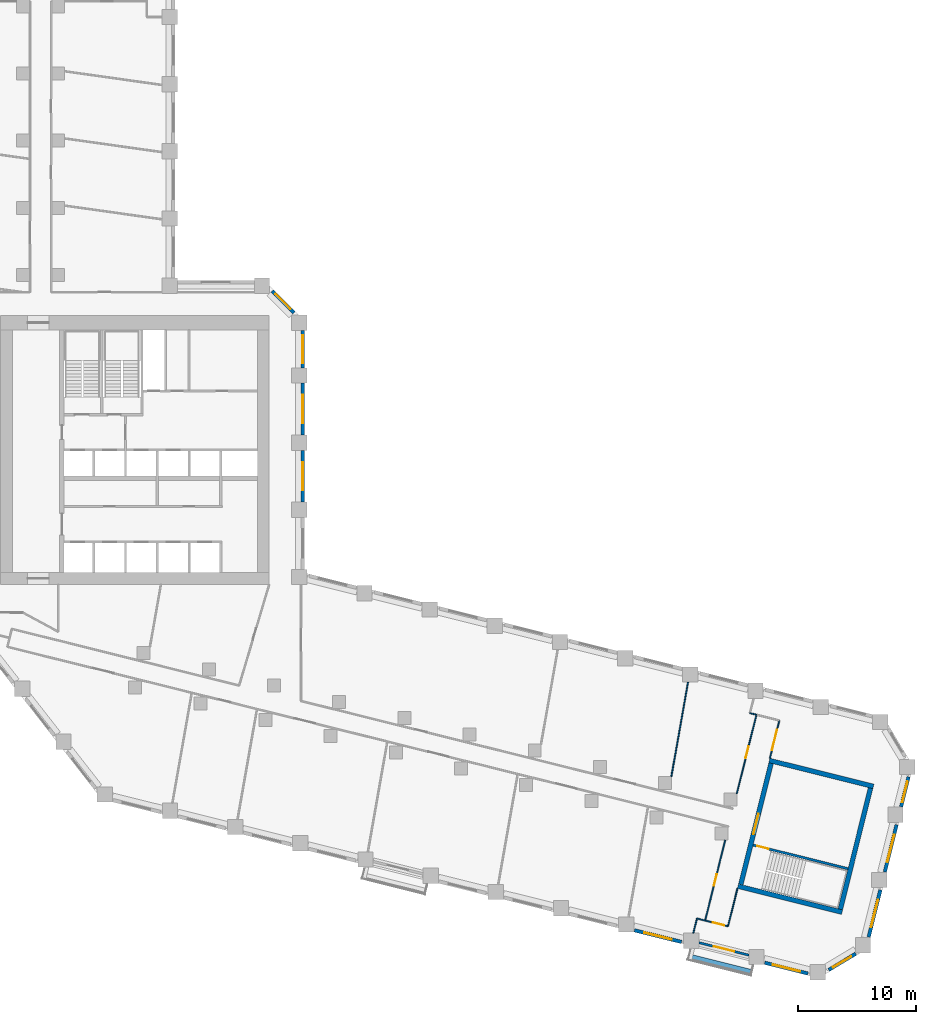
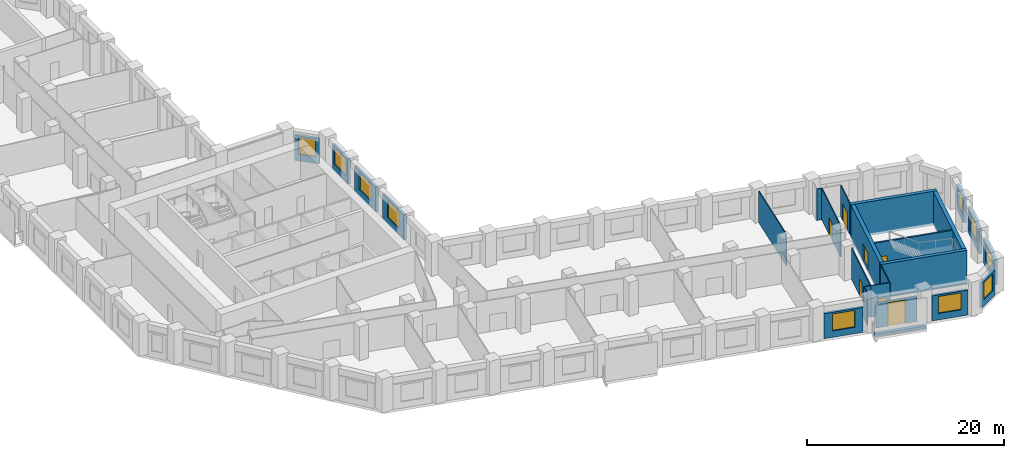
# One storey, part 6 of 10: 26 walls, 10 windows, 7 doors, 17 openings.
"""IFC4 building model written with IfcOpenShell, lengths in metres."""

from ifc_helpers import new_model, si_unit, direction, frame, frame_2d, origin, place, context, subcontext, project, spatial, rectangle, extrude, material, layer, layer_set, type_object, element, fill, save


model = new_model("IFC4")

# Units and contexts
model_context = context("Model", 3, precision=1e-05, world=origin(), true_north=direction((0.0, 1.0)))
body_context = subcontext(model_context, "Body", "Model", "MODEL_VIEW")
ifc_project = project(units=[si_unit("LENGTHUNIT", "METRE"), si_unit("AREAUNIT", "SQUARE_METRE"), si_unit("VOLUMEUNIT", "CUBIC_METRE"), si_unit("PLANEANGLEUNIT", "RADIAN"), si_unit("MASSUNIT", "GRAM", prefix="KILO")], contexts=[model_context])

# Site, building, storey
site_placement = place(None, origin())
site = spatial("IfcSite", under=ifc_project, at=site_placement, CompositionType="ELEMENT")
building_placement = place(site_placement, origin())
building = spatial("IfcBuilding", under=site, at=building_placement, Name="Meshkara Civic Tower", CompositionType="ELEMENT")
storey_placement = place(building_placement, frame((0.0, 0.0, 109.800048828125)))
storey = spatial("IfcBuildingStorey", under=building, at=storey_placement, Name="L24", CompositionType="ELEMENT", Elevation=109.800048828125)

# Wall, opening, door
ifc_material_1 = material(Name="Corridor wall 100")
ifc_layer_1 = layer(ifc_material_1, 0.10009765625)
ifc_layer_set_1 = layer_set([ifc_layer_1], Name="Corridor wall 100")
wall_type_1 = type_object("IfcWallType", Name="Corridor wall 100", PredefinedType="PARTITIONING", material=ifc_layer_set_1)
wall_1_placement = place(storey_placement, frame((67.79296875, -14.428955078125, 0.0), z_axis=(0.0, 0.0, 1.0), x_axis=(0.9702715884, -0.242018686767, 0.0)))
wall_1 = element("IfcWall", 1, at=wall_1_placement, inside=storey, type_object=wall_type_1, Name="L24-W024", PredefinedType="PARTITIONING", context=body_context, shape_type="SweptSolid", body=[
    extrude(rectangle(XDim=2.00048828125, YDim=0.10009765625, at=frame_2d((1.000244140625, 0.0))), origin(), (0.0, 0.0, 1.0), 3.89990234375),
])
opening_1_placement = place(wall_1_placement, frame((0.679931640625, 0.0, 0.0)))
opening_1 = element("IfcOpeningElement", 2, at=opening_1_placement, cuts=wall_1, Name="Opening L24-D001", PredefinedType="OPENING", context=body_context, shape_type="SweptSolid", body=[
    extrude(rectangle(XDim=1.0, YDim=2.10009765625, at=frame_2d((0.5, 1.050048828125))), frame((0.0, 0.06005859375, 0.0), z_axis=(0.0, -1.0, 0.0), x_axis=(1.0, 0.0, 0.0)), (0.0, 0.0, 1.0), 0.1201171875),
])
ifc_material_2 = material(Name="Door 1000 x 2100")
door_type_1 = type_object("IfcDoorType", Name="Door 1000 x 2100", OperationType="SINGLE_SWING_LEFT", PredefinedType="DOOR", material=ifc_material_2)
door_1_placement = place(opening_1_placement, origin())
door_1 = element("IfcDoor", 3, at=door_1_placement, inside=storey, type_object=door_type_1, Name="L24-D001", OperationType="SINGLE_SWING_LEFT", OverallHeight=2.10009765625, OverallWidth=1.0, PredefinedType="DOOR", context=body_context, shape_type="SweptSolid", body=[
    extrude(rectangle(XDim=1.0, YDim=2.10009765625, at=frame_2d((0.5, 1.050048828125))), frame((0.0, 0.02490234375, 0.0), z_axis=(0.0, -1.0, 0.0), x_axis=(1.0, 0.0, 0.0)), (0.0, 0.0, 1.0), 0.050048828125),
])
fill(opening_1, door_1)

wall_2_placement = place(storey_placement, frame((69.49609375, -7.60009765625, 0.0), z_axis=(0.0, 0.0, 1.0), x_axis=(-0.241988728544, -0.970279060507, 0.0)))
wall_2 = element("IfcWall", 4, at=wall_2_placement, inside=storey, type_object=wall_type_1, Name="L24-W025", PredefinedType="PARTITIONING", context=body_context, shape_type="SweptSolid", body=[
    extrude(rectangle(XDim=7.0380859375, YDim=0.10009765625, at=frame_2d((3.51904296875, 0.0))), origin(), (0.0, 0.0, 1.0), 3.89990234375),
])
opening_2_placement = place(wall_2_placement, frame((2.97998046875, 0.0, 0.0)))
opening_2 = element("IfcOpeningElement", 5, at=opening_2_placement, cuts=wall_2, Name="Opening L24-D002", PredefinedType="OPENING", context=body_context, shape_type="SweptSolid", body=[
    extrude(rectangle(XDim=1.0, YDim=2.10009765625, at=frame_2d((0.5, 1.050048828125))), frame((0.0, 0.06005859375, 0.0), z_axis=(0.0, -1.0, 0.0), x_axis=(1.0, 0.0, 0.0)), (0.0, 0.0, 1.0), 0.1201171875),
])
door_2_placement = place(opening_2_placement, origin())
door_2 = element("IfcDoor", 6, at=door_2_placement, inside=storey, type_object=door_type_1, Name="L24-D002", OperationType="SINGLE_SWING_RIGHT", OverallHeight=2.10009765625, OverallWidth=1.0, PredefinedType="DOOR", context=body_context, shape_type="SweptSolid", body=[
    extrude(rectangle(XDim=1.0, YDim=2.10009765625, at=frame_2d((0.5, 1.050048828125))), frame((0.0, 0.02490234375, 0.0), z_axis=(0.0, -1.0, 0.0), x_axis=(1.0, 0.0, 0.0)), (0.0, 0.0, 1.0), 0.050048828125),
])
fill(opening_2, door_2)

# Wall
wall_3_placement = place(storey_placement, frame((69.73388671875, -14.9130859375, 0.0), z_axis=(0.0, 0.0, 1.0), x_axis=(0.241839284064, 0.97031631991, 0.0)))
element("IfcWall", 7, at=wall_3_placement, inside=storey, type_object=wall_type_1, Name="L24-W026", PredefinedType="PARTITIONING", context=body_context, shape_type="SweptSolid", body=[
    extrude(rectangle(XDim=3.300048828125, YDim=0.10009765625, at=frame_2d((1.64990234375, 0.0))), origin(), (0.0, 0.0, 1.0), 3.89990234375),
])

# Wall, opening, door
wall_4_placement = place(storey_placement, frame((72.14794921875, 3.035888671875, 0.0), z_axis=(0.0, 0.0, 1.0), x_axis=(-0.241945347889, -0.970289878662, 0.0)))
wall_4 = element("IfcWall", 8, at=wall_4_placement, inside=storey, type_object=wall_type_1, Name="L24-W027", PredefinedType="PARTITIONING", context=body_context, shape_type="SweptSolid", body=[
    extrude(rectangle(XDim=6.91015625, YDim=0.10009765625, at=frame_2d((3.455078125, 0.0))), origin(), (0.0, 0.0, 1.0), 3.89990234375),
])
opening_3_placement = place(wall_4_placement, frame((2.780029296875, 0.0, 0.0)))
opening_3 = element("IfcOpeningElement", 9, at=opening_3_placement, cuts=wall_4, Name="Opening L24-D006", PredefinedType="OPENING", context=body_context, shape_type="SweptSolid", body=[
    extrude(rectangle(XDim=1.0, YDim=2.10009765625, at=frame_2d((0.5, 1.050048828125))), frame((0.0, 0.06005859375, 0.0), z_axis=(0.0, -1.0, 0.0), x_axis=(1.0, 0.0, 0.0)), (0.0, 0.0, 1.0), 0.1201171875),
])
door_3_placement = place(opening_3_placement, origin())
door_3 = element("IfcDoor", 10, at=door_3_placement, inside=storey, type_object=door_type_1, Name="L24-D006", OperationType="SINGLE_SWING_RIGHT", OverallHeight=2.10009765625, OverallWidth=1.0, PredefinedType="DOOR", context=body_context, shape_type="SweptSolid", body=[
    extrude(rectangle(XDim=1.0, YDim=2.10009765625, at=frame_2d((0.5, 1.050048828125))), frame((0.0, 0.02490234375, 0.0), z_axis=(0.0, -1.0, 0.0), x_axis=(1.0, 0.0, 0.0)), (0.0, 0.0, 1.0), 0.050048828125),
])
fill(opening_3, door_3)

wall_5_placement = place(storey_placement, frame((73.2900390625, -0.64990234375, 0.0), z_axis=(0.0, 0.0, 1.0), x_axis=(0.241786986316, 0.970329352977, 0.0)))
wall_5 = element("IfcWall", 11, at=wall_5_placement, inside=storey, type_object=wall_type_1, Name="L24-W028", PredefinedType="PARTITIONING", context=body_context, shape_type="SweptSolid", body=[
    extrude(rectangle(XDim=3.2998046875, YDim=0.10009765625, at=frame_2d((1.64990234375, 0.0))), origin(), (0.0, 0.0, 1.0), 3.89990234375),
])
opening_4_placement = place(wall_5_placement, frame((0.679931640625, 0.0, 0.0)))
opening_4 = element("IfcOpeningElement", 12, at=opening_4_placement, cuts=wall_5, Name="Opening L24-D010", PredefinedType="OPENING", context=body_context, shape_type="SweptSolid", body=[
    extrude(rectangle(XDim=1.800048828125, YDim=2.10009765625, at=frame_2d((0.89990234375, 1.050048828125))), frame((0.0, 0.06005859375, 0.0), z_axis=(0.0, -1.0, 0.0), x_axis=(1.0, 0.0, 0.0)), (0.0, 0.0, 1.0), 0.1201171875),
])
ifc_material_3 = material(Name="Door pair 1800 x 2100")
door_type_2 = type_object("IfcDoorType", Name="Door pair 1800 x 2100", OperationType="SINGLE_SWING_LEFT", PredefinedType="DOOR", material=ifc_material_3)
door_4_placement = place(opening_4_placement, origin())
door_4 = element("IfcDoor", 13, at=door_4_placement, inside=storey, type_object=door_type_2, Name="L24-D010", OperationType="DOUBLE_DOOR_SINGLE_SWING", OverallHeight=2.10009765625, OverallWidth=1.800048828125, PredefinedType="DOOR", context=body_context, shape_type="SweptSolid", body=[
    extrude(rectangle(XDim=1.800048828125, YDim=2.10009765625, at=frame_2d((0.89990234375, 1.050048828125))), frame((0.0, 0.02490234375, 0.0), z_axis=(0.0, -1.0, 0.0), x_axis=(1.0, 0.0, 0.0)), (0.0, 0.0, 1.0), 0.050048828125),
])
fill(opening_4, door_4)

# Wall, opening, window
ifc_material_4 = material(Name="Insulated infill panel with bronze anodised aluminium cladding", Category="aluminium")
ifc_layer_2 = layer(ifc_material_4, 0.300048828125)
ifc_layer_set_2 = layer_set([ifc_layer_2], Name="EXTERNAL INFILL WALL 300")
wall_type_2 = type_object("IfcWallType", Name="EXTERNAL INFILL WALL 300", PredefinedType="SOLIDWALL", material=ifc_layer_set_2)
wall_6_placement = place(storey_placement, frame((33.64990234375, 21.069091796875, 0.0), z_axis=(0.0, 0.0, 1.0), x_axis=(0.0, 1.0, 0.0)))
wall_6 = element("IfcWall", 14, at=wall_6_placement, inside=storey, type_object=wall_type_2, Name="External wall", PredefinedType="SOLIDWALL", context=body_context, shape_type="SweptSolid", body=[
    extrude(rectangle(XDim=4.39990234375, YDim=0.300048828125, at=frame_2d((2.199951171875, 0.0))), origin(), (0.0, 0.0, 1.0), 3.099853515625),
])
opening_5_placement = place(wall_6_placement, frame((1.0, 0.0, 0.800048828125)))
opening_5 = element("IfcOpeningElement", 15, at=opening_5_placement, cuts=wall_6, Name="Opening W7", PredefinedType="OPENING", context=body_context, shape_type="SweptSolid", body=[
    extrude(rectangle(XDim=2.39990234375, YDim=2.10009765625, at=frame_2d((1.199951171875, 1.050048828125))), frame((0.0, 0.159912109375, 0.0), z_axis=(0.0, -1.0, 0.0), x_axis=(1.0, 0.0, 0.0)), (0.0, 0.0, 1.0), 0.320068359375),
])
ifc_material_5 = material(Name="Tinted double glazing", Category="glass")
window_type_1 = type_object("IfcWindowType", Name="WINDOW 2400x2100", PartitioningType="DOUBLE_PANEL_VERTICAL", PredefinedType="WINDOW", material=ifc_material_5)
window_1_placement = place(opening_5_placement, origin())
window_1 = element("IfcWindow", 16, at=window_1_placement, inside=storey, type_object=window_type_1, Name="Window", OverallHeight=2.10009765625, OverallWidth=2.39990234375, PartitioningType="DOUBLE_PANEL_VERTICAL", PredefinedType="WINDOW", context=body_context, shape_type="SweptSolid", body=[
    extrude(rectangle(XDim=2.39990234375, YDim=2.10009765625, at=frame_2d((1.199951171875, 1.050048828125))), frame((0.0, 0.030029296875, 0.0), z_axis=(0.0, -1.0, 0.0), x_axis=(1.0, 0.0, 0.0)), (0.0, 0.0, 1.0), 0.06005859375),
])
fill(opening_5, window_1)

wall_7_placement = place(storey_placement, frame((33.64990234375, 26.76904296875, 0.0), z_axis=(0.0, 0.0, 1.0), x_axis=(0.0, 1.0, 0.0)))
wall_7 = element("IfcWall", 17, at=wall_7_placement, inside=storey, type_object=wall_type_2, Name="External wall", PredefinedType="SOLIDWALL", context=body_context, shape_type="SweptSolid", body=[
    extrude(rectangle(XDim=4.39990234375, YDim=0.300048828125, at=frame_2d((2.199951171875, 0.0))), origin(), (0.0, 0.0, 1.0), 3.099853515625),
])
opening_6_placement = place(wall_7_placement, frame((1.0, 0.0, 0.800048828125)))
opening_6 = element("IfcOpeningElement", 18, at=opening_6_placement, cuts=wall_7, Name="Opening W7", PredefinedType="OPENING", context=body_context, shape_type="SweptSolid", body=[
    extrude(rectangle(XDim=2.39990234375, YDim=2.10009765625, at=frame_2d((1.199951171875, 1.050048828125))), frame((0.0, 0.159912109375, 0.0), z_axis=(0.0, -1.0, 0.0), x_axis=(1.0, 0.0, 0.0)), (0.0, 0.0, 1.0), 0.320068359375),
])
window_2_placement = place(opening_6_placement, origin())
window_2 = element("IfcWindow", 19, at=window_2_placement, inside=storey, type_object=window_type_1, Name="Window", OverallHeight=2.10009765625, OverallWidth=2.39990234375, PartitioningType="DOUBLE_PANEL_VERTICAL", PredefinedType="WINDOW", context=body_context, shape_type="SweptSolid", body=[
    extrude(rectangle(XDim=2.39990234375, YDim=2.10009765625, at=frame_2d((1.199951171875, 1.050048828125))), frame((0.0, 0.030029296875, 0.0), z_axis=(0.0, -1.0, 0.0), x_axis=(1.0, 0.0, 0.0)), (0.0, 0.0, 1.0), 0.06005859375),
])
fill(opening_6, window_2)

wall_8_placement = place(storey_placement, frame((33.64990234375, 32.468994140625, 0.0), z_axis=(0.0, 0.0, 1.0), x_axis=(0.0, 1.0, 0.0)))
wall_8 = element("IfcWall", 20, at=wall_8_placement, inside=storey, type_object=wall_type_2, Name="External wall", PredefinedType="SOLIDWALL", context=body_context, shape_type="SweptSolid", body=[
    extrude(rectangle(XDim=3.175048828125, YDim=0.300048828125, at=frame_2d((1.58740234375, 0.0))), origin(), (0.0, 0.0, 1.0), 3.099853515625),
])
opening_7_placement = place(wall_8_placement, frame((0.387939453125, 0.0, 0.800048828125)))
opening_7 = element("IfcOpeningElement", 21, at=opening_7_placement, cuts=wall_8, Name="Opening W7", PredefinedType="OPENING", context=body_context, shape_type="SweptSolid", body=[
    extrude(rectangle(XDim=2.39990234375, YDim=2.10009765625, at=frame_2d((1.199951171875, 1.050048828125))), frame((0.0, 0.159912109375, 0.0), z_axis=(0.0, -1.0, 0.0), x_axis=(1.0, 0.0, 0.0)), (0.0, 0.0, 1.0), 0.320068359375),
])
window_3_placement = place(opening_7_placement, origin())
window_3 = element("IfcWindow", 22, at=window_3_placement, inside=storey, type_object=window_type_1, Name="Window", OverallHeight=2.10009765625, OverallWidth=2.39990234375, PartitioningType="DOUBLE_PANEL_VERTICAL", PredefinedType="WINDOW", context=body_context, shape_type="SweptSolid", body=[
    extrude(rectangle(XDim=2.39990234375, YDim=2.10009765625, at=frame_2d((1.199951171875, 1.050048828125))), frame((0.0, 0.030029296875, 0.0), z_axis=(0.0, -1.0, 0.0), x_axis=(1.0, 0.0, 0.0)), (0.0, 0.0, 1.0), 0.06005859375),
])
fill(opening_7, window_3)

wall_9_placement = place(storey_placement, frame((32.912109375, 37.156005859375, 0.0), z_axis=(0.0, 0.0, 1.0), x_axis=(-0.707153284542, 0.707060274772, 0.0)))
wall_9 = element("IfcWall", 23, at=wall_9_placement, inside=storey, type_object=wall_type_2, Name="External wall", PredefinedType="SOLIDWALL", context=body_context, shape_type="SweptSolid", body=[
    extrude(rectangle(XDim=2.625, YDim=0.300048828125, at=frame_2d((1.3125, 0.0))), origin(), (0.0, 0.0, 1.0), 3.099853515625),
])
opening_8_placement = place(wall_9_placement, frame((0.412109375, 0.0, 0.800048828125)))
opening_8 = element("IfcOpeningElement", 24, at=opening_8_placement, cuts=wall_9, Name="Opening W9", PredefinedType="OPENING", context=body_context, shape_type="SweptSolid", body=[
    extrude(rectangle(XDim=1.800048828125, YDim=2.10009765625, at=frame_2d((0.89990234375, 1.050048828125))), frame((0.0, 0.159912109375, 0.0), z_axis=(0.0, -1.0, 0.0), x_axis=(1.0, 0.0, 0.0)), (0.0, 0.0, 1.0), 0.320068359375),
])
ifc_material_6 = material(Name="Tinted double glazing", Category="glass")
window_type_2 = type_object("IfcWindowType", Name="WINDOW 1800x2100", PartitioningType="DOUBLE_PANEL_VERTICAL", PredefinedType="WINDOW", material=ifc_material_6)
window_4_placement = place(opening_8_placement, origin())
window_4 = element("IfcWindow", 25, at=window_4_placement, inside=storey, type_object=window_type_2, Name="Window", OverallHeight=2.10009765625, OverallWidth=1.800048828125, PartitioningType="DOUBLE_PANEL_VERTICAL", PredefinedType="WINDOW", context=body_context, shape_type="SweptSolid", body=[
    extrude(rectangle(XDim=1.800048828125, YDim=2.10009765625, at=frame_2d((0.89990234375, 1.050048828125))), frame((0.0, 0.030029296875, 0.0), z_axis=(0.0, -1.0, 0.0), x_axis=(1.0, 0.0, 0.0)), (0.0, 0.0, 1.0), 0.06005859375),
])
fill(opening_8, window_4)

wall_10_placement = place(storey_placement, frame((61.7890625, -15.2509765625, 0.0), z_axis=(0.0, 0.0, 1.0), x_axis=(0.970323340708, -0.24181111322, 0.0)))
wall_10 = element("IfcWall", 26, at=wall_10_placement, inside=storey, type_object=wall_type_2, Name="External wall", PredefinedType="SOLIDWALL", context=body_context, shape_type="SweptSolid", body=[
    extrude(rectangle(XDim=4.123291015625, YDim=0.300048828125, at=frame_2d((2.0615234375, 0.0))), origin(), (0.0, 0.0, 1.0), 3.099853515625),
])
opening_9_placement = place(wall_10_placement, frame((0.862060546875, 0.0, 0.800048828125)))
opening_9 = element("IfcOpeningElement", 27, at=opening_9_placement, cuts=wall_10, Name="Opening W7", PredefinedType="OPENING", context=body_context, shape_type="SweptSolid", body=[
    extrude(rectangle(XDim=2.39990234375, YDim=2.10009765625, at=frame_2d((1.199951171875, 1.050048828125))), frame((0.0, 0.159912109375, 0.0), z_axis=(0.0, -1.0, 0.0), x_axis=(1.0, 0.0, 0.0)), (0.0, 0.0, 1.0), 0.320068359375),
])
window_5_placement = place(opening_9_placement, origin())
window_5 = element("IfcWindow", 28, at=window_5_placement, inside=storey, type_object=window_type_1, Name="Window", OverallHeight=2.10009765625, OverallWidth=2.39990234375, PartitioningType="DOUBLE_PANEL_VERTICAL", PredefinedType="WINDOW", context=body_context, shape_type="SweptSolid", body=[
    extrude(rectangle(XDim=2.39990234375, YDim=2.10009765625, at=frame_2d((1.199951171875, 1.050048828125))), frame((0.0, 0.030029296875, 0.0), z_axis=(0.0, -1.0, 0.0), x_axis=(1.0, 0.0, 0.0)), (0.0, 0.0, 1.0), 0.06005859375),
])
fill(opening_9, window_5)

wall_11_placement = place(storey_placement, frame((72.85009765625, -18.009033203125, 0.0), z_axis=(0.0, 0.0, 1.0), x_axis=(0.970309295155, -0.241867467295, 0.0)))
wall_11 = element("IfcWall", 29, at=wall_11_placement, inside=storey, type_object=wall_type_2, Name="External wall", PredefinedType="SOLIDWALL", context=body_context, shape_type="SweptSolid", body=[
    extrude(rectangle(XDim=3.783203125, YDim=0.300048828125, at=frame_2d((1.8916015625, 0.0))), origin(), (0.0, 0.0, 1.0), 3.099853515625),
])
opening_10_placement = place(wall_11_placement, frame((0.69189453125, 0.0, 0.800048828125)))
opening_10 = element("IfcOpeningElement", 30, at=opening_10_placement, cuts=wall_11, Name="Opening W7", PredefinedType="OPENING", context=body_context, shape_type="SweptSolid", body=[
    extrude(rectangle(XDim=2.39990234375, YDim=2.10009765625, at=frame_2d((1.199951171875, 1.050048828125))), frame((0.0, 0.159912109375, 0.0), z_axis=(0.0, -1.0, 0.0), x_axis=(1.0, 0.0, 0.0)), (0.0, 0.0, 1.0), 0.320068359375),
])
window_6_placement = place(opening_10_placement, origin())
window_6 = element("IfcWindow", 31, at=window_6_placement, inside=storey, type_object=window_type_1, Name="Window", OverallHeight=2.10009765625, OverallWidth=2.39990234375, PartitioningType="DOUBLE_PANEL_VERTICAL", PredefinedType="WINDOW", context=body_context, shape_type="SweptSolid", body=[
    extrude(rectangle(XDim=2.39990234375, YDim=2.10009765625, at=frame_2d((1.199951171875, 1.050048828125))), frame((0.0, 0.030029296875, 0.0), z_axis=(0.0, -1.0, 0.0), x_axis=(1.0, 0.0, 0.0)), (0.0, 0.0, 1.0), 0.06005859375),
])
fill(opening_10, window_6)

wall_12_placement = place(storey_placement, frame((78.277099609375, -18.62109375, 0.0), z_axis=(0.0, 0.0, 1.0), x_axis=(0.857066424989, 0.515205923061, 0.0)))
wall_12 = element("IfcWall", 32, at=wall_12_placement, inside=storey, type_object=wall_type_2, Name="External wall", PredefinedType="SOLIDWALL", context=body_context, shape_type="SweptSolid", body=[
    extrude(rectangle(XDim=2.6787109375, YDim=0.300048828125, at=frame_2d((1.33935546875, 0.0))), origin(), (0.0, 0.0, 1.0), 3.099853515625),
])
opening_11_placement = place(wall_12_placement, frame((0.43896484375, 0.0, 0.800048828125)))
opening_11 = element("IfcOpeningElement", 33, at=opening_11_placement, cuts=wall_12, Name="Opening W9", PredefinedType="OPENING", context=body_context, shape_type="SweptSolid", body=[
    extrude(rectangle(XDim=1.800048828125, YDim=2.10009765625, at=frame_2d((0.89990234375, 1.050048828125))), frame((0.0, 0.159912109375, 0.0), z_axis=(0.0, -1.0, 0.0), x_axis=(1.0, 0.0, 0.0)), (0.0, 0.0, 1.0), 0.320068359375),
])
window_7_placement = place(opening_11_placement, origin())
window_7 = element("IfcWindow", 34, at=window_7_placement, inside=storey, type_object=window_type_2, Name="Window", OverallHeight=2.10009765625, OverallWidth=1.800048828125, PartitioningType="DOUBLE_PANEL_VERTICAL", PredefinedType="WINDOW", context=body_context, shape_type="SweptSolid", body=[
    extrude(rectangle(XDim=1.800048828125, YDim=2.10009765625, at=frame_2d((0.89990234375, 1.050048828125))), frame((0.0, 0.030029296875, 0.0), z_axis=(0.0, -1.0, 0.0), x_axis=(1.0, 0.0, 0.0)), (0.0, 0.0, 1.0), 0.06005859375),
])
fill(opening_11, window_7)

wall_13_placement = place(storey_placement, frame((81.6650390625, -15.83203125, 0.0), z_axis=(0.0, 0.0, 1.0), x_axis=(0.241978480223, 0.970281616392, 0.0)))
wall_13 = element("IfcWall", 35, at=wall_13_placement, inside=storey, type_object=wall_type_2, Name="External wall", PredefinedType="SOLIDWALL", context=body_context, shape_type="SweptSolid", body=[
    extrude(rectangle(XDim=4.12451171875, YDim=0.300048828125, at=frame_2d((2.062255859375, 0.0))), origin(), (0.0, 0.0, 1.0), 3.099853515625),
])
opening_12_placement = place(wall_13_placement, frame((0.862060546875, 0.0, 0.800048828125)))
opening_12 = element("IfcOpeningElement", 36, at=opening_12_placement, cuts=wall_13, Name="Opening W7", PredefinedType="OPENING", context=body_context, shape_type="SweptSolid", body=[
    extrude(rectangle(XDim=2.39990234375, YDim=2.10009765625, at=frame_2d((1.199951171875, 1.050048828125))), frame((0.0, 0.159912109375, 0.0), z_axis=(0.0, -1.0, 0.0), x_axis=(1.0, 0.0, 0.0)), (0.0, 0.0, 1.0), 0.320068359375),
])
window_8_placement = place(opening_12_placement, origin())
window_8 = element("IfcWindow", 37, at=window_8_placement, inside=storey, type_object=window_type_1, Name="Window", OverallHeight=2.10009765625, OverallWidth=2.39990234375, PartitioningType="DOUBLE_PANEL_VERTICAL", PredefinedType="WINDOW", context=body_context, shape_type="SweptSolid", body=[
    extrude(rectangle(XDim=2.39990234375, YDim=2.10009765625, at=frame_2d((1.199951171875, 1.050048828125))), frame((0.0, 0.030029296875, 0.0), z_axis=(0.0, -1.0, 0.0), x_axis=(1.0, 0.0, 0.0)), (0.0, 0.0, 1.0), 0.06005859375),
])
fill(opening_12, window_8)

wall_14_placement = place(storey_placement, frame((83.0439453125, -10.301025390625, 0.0), z_axis=(0.0, 0.0, 1.0), x_axis=(0.242034083076, 0.970267747908, 0.0)))
wall_14 = element("IfcWall", 38, at=wall_14_placement, inside=storey, type_object=wall_type_2, Name="External wall", PredefinedType="SOLIDWALL", context=body_context, shape_type="SweptSolid", body=[
    extrude(rectangle(XDim=4.12353515625, YDim=0.300048828125, at=frame_2d((2.061767578125, 0.0))), origin(), (0.0, 0.0, 1.0), 3.099853515625),
])
opening_13_placement = place(wall_14_placement, frame((0.862060546875, 0.0, 0.800048828125)))
opening_13 = element("IfcOpeningElement", 39, at=opening_13_placement, cuts=wall_14, Name="Opening W7", PredefinedType="OPENING", context=body_context, shape_type="SweptSolid", body=[
    extrude(rectangle(XDim=2.39990234375, YDim=2.10009765625, at=frame_2d((1.199951171875, 1.050048828125))), frame((0.0, 0.159912109375, 0.0), z_axis=(0.0, -1.0, 0.0), x_axis=(1.0, 0.0, 0.0)), (0.0, 0.0, 1.0), 0.320068359375),
])
window_9_placement = place(opening_13_placement, origin())
window_9 = element("IfcWindow", 40, at=window_9_placement, inside=storey, type_object=window_type_1, Name="Window", OverallHeight=2.10009765625, OverallWidth=2.39990234375, PartitioningType="DOUBLE_PANEL_VERTICAL", PredefinedType="WINDOW", context=body_context, shape_type="SweptSolid", body=[
    extrude(rectangle(XDim=2.39990234375, YDim=2.10009765625, at=frame_2d((1.199951171875, 1.050048828125))), frame((0.0, 0.030029296875, 0.0), z_axis=(0.0, -1.0, 0.0), x_axis=(1.0, 0.0, 0.0)), (0.0, 0.0, 1.0), 0.06005859375),
])
fill(opening_13, window_9)

wall_15_placement = place(storey_placement, frame((84.423095703125, -4.77099609375, 0.0), z_axis=(0.0, 0.0, 1.0), x_axis=(0.241941668773, 0.970290796056, 0.0)))
wall_15 = element("IfcWall", 41, at=wall_15_placement, inside=storey, type_object=wall_type_2, Name="External wall", PredefinedType="SOLIDWALL", context=body_context, shape_type="SweptSolid", body=[
    extrude(rectangle(XDim=2.611572265625, YDim=0.300048828125, at=frame_2d((1.3056640625, 0.0))), origin(), (0.0, 0.0, 1.0), 3.099853515625),
])
opening_14_placement = place(wall_15_placement, frame((0.406005859375, 0.0, 0.800048828125)))
opening_14 = element("IfcOpeningElement", 42, at=opening_14_placement, cuts=wall_15, Name="Opening W9", PredefinedType="OPENING", context=body_context, shape_type="SweptSolid", body=[
    extrude(rectangle(XDim=1.800048828125, YDim=2.10009765625, at=frame_2d((0.89990234375, 1.050048828125))), frame((0.0, 0.159912109375, 0.0), z_axis=(0.0, -1.0, 0.0), x_axis=(1.0, 0.0, 0.0)), (0.0, 0.0, 1.0), 0.320068359375),
])
window_10_placement = place(opening_14_placement, origin())
window_10 = element("IfcWindow", 43, at=window_10_placement, inside=storey, type_object=window_type_2, Name="Window", OverallHeight=2.10009765625, OverallWidth=1.800048828125, PartitioningType="DOUBLE_PANEL_VERTICAL", PredefinedType="WINDOW", context=body_context, shape_type="SweptSolid", body=[
    extrude(rectangle(XDim=1.800048828125, YDim=2.10009765625, at=frame_2d((0.89990234375, 1.050048828125))), frame((0.0, 0.030029296875, 0.0), z_axis=(0.0, -1.0, 0.0), x_axis=(1.0, 0.0, 0.0)), (0.0, 0.0, 1.0), 0.06005859375),
])
fill(opening_14, window_10)

# Walls
ifc_material_7 = material(Name="Concrete C70", Category="concrete")
ifc_layer_3 = layer(ifc_material_7, 0.39990234375)
ifc_layer_set_3 = layer_set([ifc_layer_3], Name="End core ring wall 400 C70")
wall_type_3 = type_object("IfcWallType", Name="End core ring wall 400 C70", PredefinedType="SHEAR", material=ifc_layer_set_3)
for number, where, z_axis, x_axis, name in (
    (44, (70.580078125, -11.51708984375, -0.300048828125), (0.0, 0.0, 1.0), (0.970285938441, -0.241961149081, 0.0), "L24-C031"),
    (45, (73.240966796875, -0.843994140625, -0.300048828125), (0.0, 0.0, 1.0), (0.970312696888, -0.241853820019, 0.0), "L24-C032"),
):
    element("IfcWall", number, at=place(storey_placement, frame(where, z_axis=z_axis, x_axis=x_axis)), inside=storey, type_object=wall_type_3, Name=name, PredefinedType="SHEAR", context=body_context, shape_type="SweptSolid", body=[
        extrude(rectangle(XDim=9.100341796875, YDim=0.39990234375, at=frame_2d((4.55029296875, 0.0))), origin(), (0.0, 0.0, 1.0), 4.199951171875),
    ])

# Wall, opening, door
wall_16_placement = place(storey_placement, frame((70.822998046875, -11.37109375, -0.300048828125), z_axis=(0.0, 0.0, 1.0), x_axis=(0.241885246693, 0.97030486314, 0.0)))
wall_16 = element("IfcWall", 46, at=wall_16_placement, inside=storey, type_object=wall_type_3, Name="L24-C033", PredefinedType="SHEAR", context=body_context, shape_type="SweptSolid", body=[
    extrude(rectangle(XDim=10.599853515625, YDim=0.39990234375, at=frame_2d((5.2998046875, 0.0))), origin(), (0.0, 0.0, 1.0), 4.199951171875),
])
opening_15_placement = place(wall_16_placement, frame((4.39990234375, 0.0, 0.300048828125)))
opening_15 = element("IfcOpeningElement", 47, at=opening_15_placement, cuts=wall_16, Name="Opening L24-K202", PredefinedType="OPENING", context=body_context, shape_type="SweptSolid", body=[
    extrude(rectangle(XDim=1.800048828125, YDim=2.10009765625, at=frame_2d((0.89990234375, 1.050048828125))), frame((0.0, 0.2099609375, 0.0), z_axis=(0.0, -1.0, 0.0), x_axis=(1.0, 0.0, 0.0)), (0.0, 0.0, 1.0), 0.419921875),
])
ifc_material_8 = material(Name="Fire-rated door leaf in steel frame", Category="steel")
door_type_3 = type_object("IfcDoorType", Name="Core double door 1800 EI 60", OperationType="DOUBLE_DOOR_SINGLE_SWING", PredefinedType="DOOR", material=ifc_material_8)
door_5_placement = place(opening_15_placement, origin())
door_5 = element("IfcDoor", 48, at=door_5_placement, inside=storey, type_object=door_type_3, Name="L24-K202", OperationType="DOUBLE_DOOR_SINGLE_SWING", OverallHeight=2.10009765625, OverallWidth=1.800048828125, PredefinedType="DOOR", context=body_context, shape_type="SweptSolid", body=[
    extrude(rectangle(XDim=1.800048828125, YDim=2.10009765625, at=frame_2d((0.89990234375, 1.050048828125))), frame((0.0, 0.02490234375, 0.0), z_axis=(0.0, -1.0, 0.0), x_axis=(1.0, 0.0, 0.0)), (0.0, 0.0, 1.0), 0.050048828125),
])
fill(opening_15, door_5)

# Wall
wall_17_placement = place(storey_placement, frame((79.263916015625, -13.47607421875, -0.300048828125), z_axis=(0.0, 0.0, 1.0), x_axis=(0.241993665753, 0.970277829148, 0.0)))
element("IfcWall", 49, at=wall_17_placement, inside=storey, type_object=wall_type_3, Name="L24-C034", PredefinedType="SHEAR", context=body_context, shape_type="SweptSolid", body=[
    extrude(rectangle(XDim=10.60009765625, YDim=0.39990234375, at=frame_2d((5.300048828125, 0.0))), origin(), (0.0, 0.0, 1.0), 4.199951171875),
])

# Wall, opening, door
ifc_material_9 = material(Name="Insulated infill panel with bronze anodised aluminium cladding", Category="aluminium")
ifc_layer_4 = layer(ifc_material_9, 0.199951171875)
ifc_layer_set_4 = layer_set([ifc_layer_4], Name="LOGGIA BACK WALL 200")
wall_type_4 = type_object("IfcWallType", Name="LOGGIA BACK WALL 200", PredefinedType="SOLIDWALL", material=ifc_layer_set_4)
wall_18_placement = place(storey_placement, frame((67.277099609375, -16.31005859375, 0.0), z_axis=(0.0, 0.0, 1.0), x_axis=(0.970293811216, -0.241929576357, 0.0)))
wall_18 = element("IfcWall", 50, at=wall_18_placement, inside=storey, type_object=wall_type_4, Name="Loggia wall", PredefinedType="SOLIDWALL", context=body_context, shape_type="SweptSolid", body=[
    extrude(rectangle(XDim=4.360595703125, YDim=0.199951171875, at=frame_2d((2.18017578125, 0.0))), origin(), (0.0, 0.0, 1.0), 3.099853515625),
])
opening_16_placement = place(wall_18_placement, frame((1.280029296875, 0.0, 0.0)))
opening_16 = element("IfcOpeningElement", 51, at=opening_16_placement, cuts=wall_18, Name="Opening L24-L003", PredefinedType="OPENING", context=body_context, shape_type="SweptSolid", body=[
    extrude(rectangle(XDim=1.800048828125, YDim=2.89990234375, at=frame_2d((0.89990234375, 1.449951171875))), frame((0.0, 0.10986328125, 0.0), z_axis=(0.0, -1.0, 0.0), x_axis=(1.0, 0.0, 0.0)), (0.0, 0.0, 1.0), 0.219970703125),
])
ifc_material_10 = material(Name="Tinted double glazing", Category="glass")
door_type_4 = type_object("IfcDoorType", Name="LOGGIA DOOR 1800x2900", OperationType="DOUBLE_DOOR_SINGLE_SWING", PredefinedType="DOOR", material=ifc_material_10)
door_6_placement = place(opening_16_placement, origin())
door_6 = element("IfcDoor", 52, at=door_6_placement, inside=storey, type_object=door_type_4, Name="L24-L003", OperationType="DOUBLE_DOOR_SINGLE_SWING", OverallHeight=2.89990234375, OverallWidth=1.800048828125, PredefinedType="DOOR", context=body_context, shape_type="SweptSolid", body=[
    extrude(rectangle(XDim=1.800048828125, YDim=2.89990234375, at=frame_2d((0.89990234375, 1.449951171875))), frame((0.0, 0.02490234375, 0.0), z_axis=(0.0, -1.0, 0.0), x_axis=(1.0, 0.0, 0.0)), (0.0, 0.0, 1.0), 0.050048828125),
])
fill(opening_16, door_6)

# Walls
ifc_material_11 = material(Name="Concrete C40", Category="concrete")
ifc_layer_5 = layer(ifc_material_11, 0.39990234375)
ifc_layer_set_5 = layer_set([ifc_layer_5], Name="PLANTER TRAY")
wall_type_5 = type_object("IfcWallType", Name="PLANTER TRAY", PredefinedType="SOLIDWALL", material=ifc_layer_set_5)
wall_19_placement = place(storey_placement, frame((66.469970703125, -17.47900390625, 0.0), z_axis=(0.0, 0.0, 1.0), x_axis=(0.970289679319, -0.241946147329, 0.0)))
element("IfcWall", 53, at=wall_19_placement, inside=storey, type_object=wall_type_5, Name="Planter", PredefinedType="SOLIDWALL", context=body_context, shape_type="SweptSolid", body=[
    extrude(rectangle(XDim=5.360107421875, YDim=0.39990234375, at=frame_2d((2.68017578125, 0.0))), origin(), (0.0, 0.0, 1.0), 0.300048828125),
])
ifc_material_12 = material(Name="Partition 100")
ifc_layer_6 = layer(ifc_material_12, 0.10009765625)
ifc_layer_set_6 = layer_set([ifc_layer_6], Name="Partition 100")
wall_type_6 = type_object("IfcWallType", Name="Partition 100", PredefinedType="PARTITIONING", material=ifc_layer_set_6)
wall_20_placement = place(storey_placement, frame((64.927001953125, -2.2109375, 0.0), z_axis=(0.0, 0.0, 1.0), x_axis=(0.17370309897, 0.984798067326, 0.0)))
element("IfcWall", 54, at=wall_20_placement, inside=storey, type_object=wall_type_6, Name="L24-W049", PredefinedType="PARTITIONING", context=body_context, shape_type="SweptSolid", body=[
    extrude(rectangle(XDim=8.12939453125, YDim=0.10009765625, at=frame_2d((4.064697265625, 0.0))), origin(), (0.0, 0.0, 1.0), 3.89990234375),
])
wall_21_placement = place(storey_placement, frame((66.7890625, -15.498046875, 0.0), z_axis=(0.0, 0.0, 1.0), x_axis=(0.242221476086, 0.970220983345, 0.0)))
element("IfcWall", 55, at=wall_21_placement, inside=storey, type_object=wall_type_6, Name="L24-W050", PredefinedType="PARTITIONING", context=body_context, shape_type="SweptSolid", body=[
    extrude(rectangle(XDim=1.280029296875, YDim=0.10009765625, at=frame_2d((0.64013671875, 0.0))), origin(), (0.0, 0.0, 1.0), 3.89990234375),
])
wall_22_placement = place(storey_placement, frame((67.09912109375, -14.256103515625, 0.0), z_axis=(0.0, 0.0, 1.0), x_axis=(0.970361718061, -0.24165706305, 0.0)))
element("IfcWall", 56, at=wall_22_placement, inside=storey, type_object=wall_type_6, Name="L24-W051", PredefinedType="PARTITIONING", context=body_context, shape_type="SweptSolid", body=[
    extrude(rectangle(XDim=0.71923828125, YDim=0.10009765625, at=frame_2d((0.359619140625, 0.0))), origin(), (0.0, 0.0, 1.0), 3.89990234375),
])
wall_23_placement = place(storey_placement, frame((72.152099609375, 3.034912109375, 0.0), z_axis=(0.0, 0.0, 1.0), x_axis=(-0.97039125345, 0.241538434265, 0.0)))
element("IfcWall", 57, at=wall_23_placement, inside=storey, type_object=wall_type_6, Name="L24-W053", PredefinedType="PARTITIONING", context=body_context, shape_type="SweptSolid", body=[
    extrude(rectangle(XDim=0.576171875, YDim=0.10009765625, at=frame_2d((0.2880859375, 0.0))), origin(), (0.0, 0.0, 1.0), 3.89990234375),
])

# Wall, opening, door
ifc_material_13 = material(Name="Concrete C40/50", Category="concrete")
ifc_layer_7 = layer(ifc_material_13, 0.199951171875)
ifc_layer_set_7 = layer_set([ifc_layer_7], Name="Stair enclosure wall 200 C40/50")
wall_type_7 = type_object("IfcWallType", Name="Stair enclosure wall 200 C40/50", PredefinedType="SOLIDWALL", material=ifc_layer_set_7)
wall_24_placement = place(storey_placement, frame((71.864013671875, -8.02392578125, 0.0), z_axis=(0.0, 0.0, 1.0), x_axis=(0.970289402158, -0.241947258837, 0.0)))
wall_24 = element("IfcWall", 58, at=wall_24_placement, inside=storey, type_object=wall_type_7, Name="L24-C035", PredefinedType="SOLIDWALL", context=body_context, shape_type="SweptSolid", body=[
    extrude(rectangle(XDim=8.299560546875, YDim=0.199951171875, at=frame_2d((4.14990234375, 0.0))), origin(), (0.0, 0.0, 1.0), 3.89990234375),
])
opening_17_placement = place(wall_24_placement, frame((0.35009765625, 0.0, 0.0)))
opening_17 = element("IfcOpeningElement", 59, at=opening_17_placement, cuts=wall_24, Name="Opening L24-K201", PredefinedType="OPENING", context=body_context, shape_type="SweptSolid", body=[
    extrude(rectangle(XDim=1.0, YDim=2.10009765625, at=frame_2d((0.5, 1.050048828125))), frame((0.0, 0.10986328125, 0.0), z_axis=(0.0, -1.0, 0.0), x_axis=(1.0, 0.0, 0.0)), (0.0, 0.0, 1.0), 0.219970703125),
])
ifc_material_14 = material(Name="Fire-rated door leaf in steel frame", Category="steel")
door_type_5 = type_object("IfcDoorType", Name="Stair door 1000 EI 120", OperationType="SINGLE_SWING_LEFT", PredefinedType="DOOR", material=ifc_material_14)
door_7_placement = place(opening_17_placement, origin())
door_7 = element("IfcDoor", 60, at=door_7_placement, inside=storey, type_object=door_type_5, Name="L24-K201", OperationType="SINGLE_SWING_LEFT", OverallHeight=2.10009765625, OverallWidth=1.0, PredefinedType="DOOR", context=body_context, shape_type="SweptSolid", body=[
    extrude(rectangle(XDim=1.0, YDim=2.10009765625, at=frame_2d((0.5, 1.050048828125))), frame((0.0, 0.02490234375, 0.0), z_axis=(0.0, -1.0, 0.0), x_axis=(1.0, 0.0, 0.0)), (0.0, 0.0, 1.0), 0.050048828125),
])
fill(opening_17, door_7)

save(model, "model.ifc")
